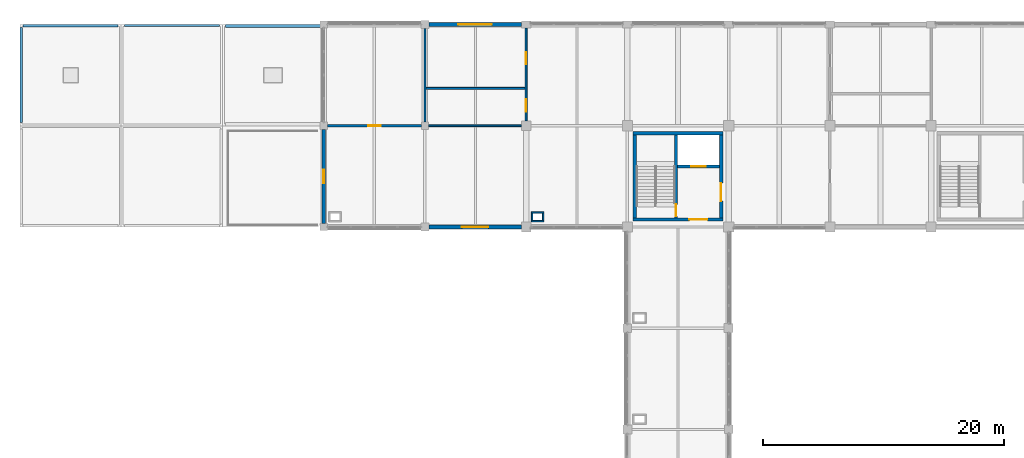
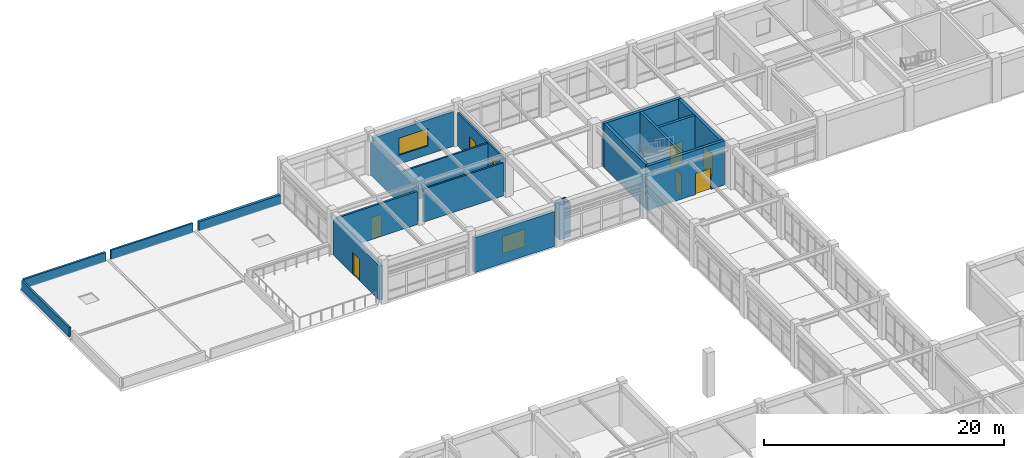
# One storey, part 66 of 78: 22 walls, 8 doors, 2 windows, 10 openings.
"""IFC4 building model written with IfcOpenShell, lengths in metres."""

from ifc_helpers import new_model, si_unit, direction, frame, frame_2d, origin, place, context, subcontext, project, spatial, rectangle, extrude, material, layer, layer_set, type_object, element, fill, save


model = new_model("IFC4")

# Units and contexts
model_context = context("Model", 3, precision=1e-05, world=origin(), true_north=direction((0.0, 1.0)))
body_context = subcontext(model_context, "Body", "Model", "MODEL_VIEW")
ifc_project = project(units=[si_unit("LENGTHUNIT", "METRE"), si_unit("AREAUNIT", "SQUARE_METRE"), si_unit("VOLUMEUNIT", "CUBIC_METRE"), si_unit("PLANEANGLEUNIT", "RADIAN"), si_unit("MASSUNIT", "GRAM", prefix="KILO")], contexts=[model_context])

# Site, building, storey
site_placement = place(None, origin())
site = spatial("IfcSite", under=ifc_project, at=site_placement, CompositionType="ELEMENT")
building_placement = place(site_placement, origin())
building = spatial("IfcBuilding", under=site, at=building_placement, Name="Porcellanite Civic Hall", CompositionType="ELEMENT")
storey_placement = place(building_placement, frame((0.0, 0.0, 10.260009765625)))
storey = spatial("IfcBuildingStorey", under=building, at=storey_placement, Name="L02", CompositionType="ELEMENT", Elevation=10.260009765625)

# Wall, opening, door
ifc_material_1 = material(Name="Concrete N40 (40 MPa)", Category="concrete")
ifc_layer_1 = layer(ifc_material_1, 0.239990234375)
ifc_layer_set_1 = layer_set([ifc_layer_1], Name="Concrete N40 (40 MPa)")
wall_type_1 = type_object("IfcWallType", Name="CW-SH240", PredefinedType="SHEAR", material=ifc_layer_set_1)
wall_1_placement = place(storey_placement, frame((54.43994140625, 101.56005859375, 0.0), z_axis=(0.0, 0.0, 1.0), x_axis=(0.0, 1.0, 0.0)))
wall_1 = element("IfcWall", 1, at=wall_1_placement, inside=storey, type_object=wall_type_1, Name="Core divider C3 L02", PredefinedType="SHEAR", context=body_context, shape_type="SweptSolid", body=[
    extrude(rectangle(XDim=6.8798828125, YDim=0.239990234375, at=frame_2d((3.43994140625, 0.0))), origin(), (0.0, 0.0, 1.0), 4.5),
])
opening_1_placement = place(wall_1_placement, frame((0.1201171875, 0.0, 0.0)))
opening_1 = element("IfcOpeningElement", 2, at=opening_1_placement, cuts=wall_1, Name="Opening FD-C3-L02-ST", PredefinedType="OPENING", context=body_context, shape_type="SweptSolid", body=[
    extrude(rectangle(XDim=1.0, YDim=2.14990234375, at=frame_2d((0.5, 1.074951171875))), frame((0.0, 0.1201171875, 0.0), z_axis=(0.0, -1.0, 0.0), x_axis=(1.0, 0.0, 0.0)), (0.0, 0.0, 1.0), 0.239990234375),
])
ifc_material_2 = material(Name="Fire-rated solid-core hardwood timber", Category="wood")
door_type_1 = type_object("IfcDoorType", Name="DR-FD100", OperationType="NOTDEFINED", PredefinedType="DOOR", material=ifc_material_2)
door_1_placement = place(opening_1_placement, origin())
door_1 = element("IfcDoor", 3, at=door_1_placement, inside=storey, type_object=door_type_1, Name="Fire stair door FD-C3-L02-ST", OperationType="SINGLE_SWING_RIGHT", OverallHeight=2.14990234375, OverallWidth=1.0, PredefinedType="DOOR", context=body_context, shape_type="SweptSolid", body=[
    extrude(rectangle(XDim=1.0, YDim=2.14990234375, at=frame_2d((0.5, 1.074951171875))), frame((0.0, 0.02490234375, 0.0), z_axis=(0.0, -1.0, 0.0), x_axis=(1.0, 0.0, 0.0)), (0.0, 0.0, 1.0), 0.050048828125),
])
fill(opening_1, door_1)

wall_2_placement = place(storey_placement, frame((54.56005859375, 105.820068359375, 0.0), z_axis=(0.0, 0.0, 1.0), x_axis=(1.0, 0.0, 0.0)))
wall_2 = element("IfcWall", 4, at=wall_2_placement, inside=storey, type_object=wall_type_1, Name="Lift shaft wall C3 L02", PredefinedType="SHEAR", context=body_context, shape_type="SweptSolid", body=[
    extrude(rectangle(XDim=3.47998046875, YDim=0.239990234375, at=frame_2d((1.739990234375, 0.0))), origin(), (0.0, 0.0, 1.0), 4.5),
])
opening_2_placement = place(wall_2_placement, frame((1.139892578125, 0.0, 0.0)))
opening_2 = element("IfcOpeningElement", 5, at=opening_2_placement, cuts=wall_2, Name="Opening LD-01", PredefinedType="OPENING", context=body_context, shape_type="SweptSolid", body=[
    extrude(rectangle(XDim=1.199951171875, YDim=2.199951171875, at=frame_2d((0.60009765625, 1.10009765625))), frame((0.0, 0.1201171875, 0.0), z_axis=(0.0, -1.0, 0.0), x_axis=(1.0, 0.0, 0.0)), (0.0, 0.0, 1.0), 0.239990234375),
])
ifc_material_3 = material(Name="Brushed stainless steel 316", Category="steel")
door_type_2 = type_object("IfcDoorType", Name="DR-LD120", OperationType="DOUBLE_DOOR_SLIDING", PredefinedType="DOOR", material=ifc_material_3)
door_2_placement = place(opening_2_placement, origin())
door_2 = element("IfcDoor", 6, at=door_2_placement, inside=storey, type_object=door_type_2, Name="Lift landing sliding door LD-01 L02", OperationType="DOUBLE_DOOR_SLIDING", OverallHeight=2.199951171875, OverallWidth=1.199951171875, PredefinedType="DOOR", context=body_context, shape_type="SweptSolid", body=[
    extrude(rectangle(XDim=1.199951171875, YDim=2.199951171875, at=frame_2d((0.60009765625, 1.10009765625))), frame((0.0, 0.02490234375, 0.0), z_axis=(0.0, -1.0, 0.0), x_axis=(1.0, 0.0, 0.0)), (0.0, 0.0, 1.0), 0.050048828125),
])
fill(opening_2, door_2)

ifc_material_4 = material(Name="Concrete N40 (40 MPa)", Category="concrete")
ifc_layer_2 = layer(ifc_material_4, 0.280029296875)
ifc_layer_set_2 = layer_set([ifc_layer_2], Name="Concrete N40 (40 MPa)")
wall_type_2 = type_object("IfcWallType", Name="CW-SH280", PredefinedType="SHEAR", material=ifc_layer_set_2)
wall_3_placement = place(storey_placement, frame((58.320068359375, 101.419921875, 0.0), z_axis=(0.0, 0.0, 1.0), x_axis=(-1.0, 0.0, 0.0)))
wall_3 = element("IfcWall", 7, at=wall_3_placement, inside=storey, type_object=wall_type_2, Name="Core wall C3 L02 S", PredefinedType="SHEAR", context=body_context, shape_type="SweptSolid", body=[
    extrude(rectangle(XDim=7.440185546875, YDim=0.280029296875, at=frame_2d((3.72021484375, 0.0))), origin(), (0.0, 0.0, 1.0), 4.5),
])
opening_3_placement = place(wall_3_placement, frame((1.280029296875, 0.0, 0.0)))
opening_3 = element("IfcOpeningElement", 8, at=opening_3_placement, cuts=wall_3, Name="Opening FD-C3-L02-LS", PredefinedType="OPENING", context=body_context, shape_type="SweptSolid", body=[
    extrude(rectangle(XDim=1.5, YDim=2.14990234375, at=frame_2d((0.75, 1.074951171875))), frame((0.0, 0.14013671875, 0.0), z_axis=(0.0, -1.0, 0.0), x_axis=(1.0, 0.0, 0.0)), (0.0, 0.0, 1.0), 0.280029296875),
])
ifc_material_5 = material(Name="Fire-rated steel and Georgian wired glass", Category="steel")
door_type_3 = type_object("IfcDoorType", Name="DR-FD150", OperationType="DOUBLE_DOOR_SINGLE_SWING", PredefinedType="DOOR", material=ifc_material_5)
door_3_placement = place(opening_3_placement, origin())
door_3 = element("IfcDoor", 9, at=door_3_placement, inside=storey, type_object=door_type_3, Name="Fire lobby south door FD-C3-L02-LS", OperationType="DOUBLE_DOOR_SINGLE_SWING", OverallHeight=2.14990234375, OverallWidth=1.5, PredefinedType="DOOR", context=body_context, shape_type="SweptSolid", body=[
    extrude(rectangle(XDim=1.5, YDim=2.14990234375, at=frame_2d((0.75, 1.074951171875))), frame((0.0, 0.02490234375, 0.0), z_axis=(0.0, -1.0, 0.0), x_axis=(1.0, 0.0, 0.0)), (0.0, 0.0, 1.0), 0.050048828125),
])
fill(opening_3, door_3)

# Walls
wall_4_placement = place(storey_placement, frame((51.02001953125, 101.56005859375, 0.0), z_axis=(0.0, 0.0, 1.0), x_axis=(0.0, 1.0, 0.0)))
element("IfcWall", 10, at=wall_4_placement, inside=storey, type_object=wall_type_2, Name="Core wall C3 L02 W", PredefinedType="SHEAR", context=body_context, shape_type="SweptSolid", body=[
    extrude(rectangle(XDim=6.8798828125, YDim=0.280029296875, at=frame_2d((3.43994140625, 0.0))), origin(), (0.0, 0.0, 1.0), 4.5),
])
wall_5_placement = place(storey_placement, frame((50.8798828125, 108.580078125, 0.0), z_axis=(0.0, 0.0, 1.0), x_axis=(1.0, 0.0, 0.0)))
element("IfcWall", 11, at=wall_5_placement, inside=storey, type_object=wall_type_2, Name="Core wall C3 L02 N", PredefinedType="SHEAR", context=body_context, shape_type="SweptSolid", body=[
    extrude(rectangle(XDim=7.440185546875, YDim=0.280029296875, at=frame_2d((3.72021484375, 0.0))), origin(), (0.0, 0.0, 1.0), 4.5),
])

# Wall, opening, door
wall_6_placement = place(storey_placement, frame((58.179931640625, 108.43994140625, 0.0), z_axis=(0.0, 0.0, 1.0), x_axis=(0.0, -1.0, 0.0)))
wall_6 = element("IfcWall", 12, at=wall_6_placement, inside=storey, type_object=wall_type_2, Name="Core wall C3 L02 E", PredefinedType="SHEAR", context=body_context, shape_type="SweptSolid", body=[
    extrude(rectangle(XDim=6.8798828125, YDim=0.280029296875, at=frame_2d((3.43994140625, 0.0))), origin(), (0.0, 0.0, 1.0), 4.5),
])
opening_4_placement = place(wall_6_placement, frame((3.989990234375, 0.0, 0.0)))
opening_4 = element("IfcOpeningElement", 13, at=opening_4_placement, cuts=wall_6, Name="Opening FD-C3-L02-LB", PredefinedType="OPENING", context=body_context, shape_type="SweptSolid", body=[
    extrude(rectangle(XDim=1.5, YDim=2.14990234375, at=frame_2d((0.75, 1.074951171875))), frame((0.0, 0.14013671875, 0.0), z_axis=(0.0, -1.0, 0.0), x_axis=(1.0, 0.0, 0.0)), (0.0, 0.0, 1.0), 0.280029296875),
])
door_4_placement = place(opening_4_placement, origin())
door_4 = element("IfcDoor", 14, at=door_4_placement, inside=storey, type_object=door_type_3, Name="Fire lobby double door FD-C3-L02-LB", OperationType="DOUBLE_DOOR_SINGLE_SWING", OverallHeight=2.14990234375, OverallWidth=1.5, PredefinedType="DOOR", context=body_context, shape_type="SweptSolid", body=[
    extrude(rectangle(XDim=1.5, YDim=2.14990234375, at=frame_2d((0.75, 1.074951171875))), frame((0.0, 0.02490234375, 0.0), z_axis=(0.0, -1.0, 0.0), x_axis=(1.0, 0.0, 0.0)), (0.0, 0.0, 1.0), 0.050048828125),
])
fill(opening_4, door_4)

# Wall, opening, window
ifc_material_6 = material(Name="Precast concrete N40 (40 MPa)", Category="concrete")
ifc_layer_3 = layer(ifc_material_6, 0.300048828125)
ifc_layer_set_3 = layer_set([ifc_layer_3], Name="Precast concrete N40 (40 MPa)")
wall_type_3 = type_object("IfcWallType", Name="EW-ADM300", PredefinedType="SOLIDWALL", material=ifc_layer_set_3)
wall_7_placement = place(storey_placement, frame((41.59912109375, 100.800048828125, 0.0), z_axis=(0.0, 0.0, 1.0), x_axis=(-1.0, 0.0, 0.0)))
wall_7 = element("IfcWall", 15, at=wall_7_placement, inside=storey, type_object=wall_type_3, Name="Exterior wall L02 S 5-13", PredefinedType="SOLIDWALL", context=body_context, shape_type="SweptSolid", body=[
    extrude(rectangle(XDim=7.673095703125, YDim=0.300048828125, at=frame_2d((3.83642578125, 0.0))), origin(), (0.0, 0.0, 1.0), 3.5400390625),
])
opening_5_placement = place(wall_7_placement, frame((2.736083984375, 0.0, 0.89990234375)))
opening_5 = element("IfcOpeningElement", 16, at=opening_5_placement, cuts=wall_7, Name="Opening W13", PredefinedType="OPENING", context=body_context, shape_type="SweptSolid", body=[
    extrude(rectangle(XDim=2.199951171875, YDim=1.75, at=frame_2d((1.10009765625, 0.875))), frame((0.0, 0.14990234375, 0.0), z_axis=(0.0, -1.0, 0.0), x_axis=(1.0, 0.0, 0.0)), (0.0, 0.0, 1.0), 0.300048828125),
])
ifc_material_7 = material(Name="Cyclone laminated low-E glazing in anodised aluminium frame", Category="aluminium")
window_type_1 = type_object("IfcWindowType", Name="WN-13", PartitioningType="DOUBLE_PANEL_VERTICAL", PredefinedType="WINDOW", material=ifc_material_7)
window_1_placement = place(opening_5_placement, origin())
window_1 = element("IfcWindow", 17, at=window_1_placement, inside=storey, type_object=window_type_1, Name="Window W13 L02 S 5-13", OverallHeight=1.75, OverallWidth=2.199951171875, PartitioningType="SINGLE_PANEL", PredefinedType="WINDOW", context=body_context, shape_type="SweptSolid", body=[
    extrude(rectangle(XDim=2.199951171875, YDim=1.75, at=frame_2d((1.10009765625, 0.875))), frame((0.0, 0.030029296875, 0.0), z_axis=(0.0, -1.0, 0.0), x_axis=(1.0, 0.0, 0.0)), (0.0, 0.0, 1.0), 0.06005859375),
])
fill(opening_5, window_1)

wall_8_placement = place(storey_placement, frame((33.926025390625, 117.60009765625, 0.0), z_axis=(0.0, 0.0, 1.0), x_axis=(1.0, 0.0, 0.0)))
wall_8 = element("IfcWall", 18, at=wall_8_placement, inside=storey, type_object=wall_type_3, Name="Exterior wall L02 N 5-14", PredefinedType="SOLIDWALL", context=body_context, shape_type="SweptSolid", body=[
    extrude(rectangle(XDim=7.673095703125, YDim=0.300048828125, at=frame_2d((3.83642578125, 0.0))), origin(), (0.0, 0.0, 1.0), 3.5400390625),
])
opening_6_placement = place(wall_8_placement, frame((2.43701171875, 0.0, 0.89990234375)))
opening_6 = element("IfcOpeningElement", 19, at=opening_6_placement, cuts=wall_8, Name="Opening W14", PredefinedType="OPENING", context=body_context, shape_type="SweptSolid", body=[
    extrude(rectangle(XDim=2.800048828125, YDim=1.75, at=frame_2d((1.39990234375, 0.875))), frame((0.0, 0.14990234375, 0.0), z_axis=(0.0, -1.0, 0.0), x_axis=(1.0, 0.0, 0.0)), (0.0, 0.0, 1.0), 0.300048828125),
])
ifc_material_8 = material(Name="Cyclone laminated low-E glazing in anodised aluminium frame", Category="aluminium")
window_type_2 = type_object("IfcWindowType", Name="WN-14", PartitioningType="TRIPLE_PANEL_VERTICAL", PredefinedType="WINDOW", material=ifc_material_8)
window_2_placement = place(opening_6_placement, origin())
window_2 = element("IfcWindow", 20, at=window_2_placement, inside=storey, type_object=window_type_2, Name="Window W14 L02 N 5-14", OverallHeight=1.75, OverallWidth=2.800048828125, PartitioningType="SINGLE_PANEL", PredefinedType="WINDOW", context=body_context, shape_type="SweptSolid", body=[
    extrude(rectangle(XDim=2.800048828125, YDim=1.75, at=frame_2d((1.39990234375, 0.875))), frame((0.0, 0.030029296875, 0.0), z_axis=(0.0, -1.0, 0.0), x_axis=(1.0, 0.0, 0.0)), (0.0, 0.0, 1.0), 0.06005859375),
])
fill(opening_6, window_2)

# Wall, opening, door
ifc_material_9 = material(Name="Precast concrete N40 (40 MPa)", Category="concrete")
ifc_layer_4 = layer(ifc_material_9, 0.320068359375)
ifc_layer_set_4 = layer_set([ifc_layer_4], Name="Precast concrete N40 (40 MPa)")
wall_type_4 = type_object("IfcWallType", Name="EW-COM320", PredefinedType="SOLIDWALL", material=ifc_layer_set_4)
wall_9_placement = place(storey_placement, frame((25.199951171875, 101.10107421875, 0.0), z_axis=(0.0, 0.0, 1.0), x_axis=(0.0, 1.0, 0.0)))
wall_9 = element("IfcWall", 21, at=wall_9_placement, inside=storey, type_object=wall_type_4, Name="Exterior wall L02 W 4-13", PredefinedType="SOLIDWALL", context=body_context, shape_type="SweptSolid", body=[
    extrude(rectangle(XDim=7.77294921875, YDim=0.320068359375, at=frame_2d((3.886474609375, 0.0))), origin(), (0.0, 0.0, 1.0), 3.5400390625),
])
opening_7_placement = place(wall_9_placement, frame((3.325927734375, 0.0, 0.0)))
opening_7 = element("IfcOpeningElement", 22, at=opening_7_placement, cuts=wall_9, Name="Opening TD-05", PredefinedType="OPENING", context=body_context, shape_type="SweptSolid", body=[
    extrude(rectangle(XDim=1.1201171875, YDim=2.199951171875, at=frame_2d((0.56005859375, 1.10009765625))), frame((0.0, 0.16015625, 0.0), z_axis=(0.0, -1.0, 0.0), x_axis=(1.0, 0.0, 0.0)), (0.0, 0.0, 1.0), 0.320068359375),
])
ifc_material_10 = material(Name="Anodised aluminium and laminated safety glass", Category="aluminium")
door_type_4 = type_object("IfcDoorType", Name="DR-TER112", OperationType="NOTDEFINED", PredefinedType="DOOR", material=ifc_material_10)
door_5_placement = place(opening_7_placement, origin())
door_5 = element("IfcDoor", 23, at=door_5_placement, inside=storey, type_object=door_type_4, Name="Civic terrace door TD-05", OperationType="SINGLE_SWING_RIGHT", OverallHeight=2.199951171875, OverallWidth=1.1201171875, PredefinedType="DOOR", context=body_context, shape_type="SweptSolid", body=[
    extrude(rectangle(XDim=1.1201171875, YDim=2.199951171875, at=frame_2d((0.56005859375, 1.10009765625))), frame((0.0, 0.02490234375, 0.0), z_axis=(0.0, -1.0, 0.0), x_axis=(1.0, 0.0, 0.0)), (0.0, 0.0, 1.0), 0.050048828125),
])
fill(opening_7, door_5)

# Walls
ifc_material_11 = material(Name="Fire-rated shaftwall plasterboard on steel studs", Category="steel")
ifc_layer_5 = layer(ifc_material_11, 0.117919921875)
ifc_layer_set_5 = layer_set([ifc_layer_5], Name="Fire-rated shaftwall plasterboard on steel studs")
wall_type_5 = type_object("IfcWallType", Name="IW-FR118", PredefinedType="PARTITIONING", material=ifc_layer_set_5)
for number, where, z_axis, x_axis, name in (
    (24, (42.431884765625, 101.291015625, 0.0), (0.0, 0.0, 1.0), (1.0, 0.0, 0.0), "Fire riser shaftwall S L02 5-12"),
    (25, (42.431884765625, 102.009033203125, 0.0), (0.0, 0.0, 1.0), (1.0, 0.0, 0.0), "Fire riser shaftwall N L02 5-12"),
):
    element("IfcWall", number, at=place(storey_placement, frame(where, z_axis=z_axis, x_axis=x_axis)), inside=storey, type_object=wall_type_5, Name=name, PredefinedType="PARTITIONING", context=body_context, shape_type="SweptSolid", body=[
        extrude(rectangle(XDim=1.0361328125, YDim=0.117919921875, at=frame_2d((0.51806640625, 0.0))), origin(), (0.0, 0.0, 1.0), 3.530029296875),
    ])
for number, where, z_axis, x_axis, name in (
    (26, (42.490966796875, 101.35009765625, 0.0), (0.0, 0.0, 1.0), (0.0, 1.0, 0.0), "Fire riser shaftwall W L02 5-12"),
    (27, (43.408935546875, 101.35009765625, 0.0), (0.0, 0.0, 1.0), (0.0, 1.0, 0.0), "Fire riser shaftwall E L02 5-12"),
):
    element("IfcWall", number, at=place(storey_placement, frame(where, z_axis=z_axis, x_axis=x_axis)), inside=storey, type_object=wall_type_5, Name=name, PredefinedType="PARTITIONING", context=body_context, shape_type="SweptSolid", body=[
        extrude(rectangle(XDim=0.599853515625, YDim=0.117919921875, at=frame_2d((0.2998046875, 0.0))), origin(), (0.0, 0.0, 1.0), 3.530029296875),
    ])
ifc_material_12 = material(Name="Fire-rated plasterboard on light-gauge steel studs", Category="steel")
ifc_layer_6 = layer(ifc_material_12, 0.14794921875)
ifc_layer_set_6 = layer_set([ifc_layer_6], Name="Fire-rated plasterboard on light-gauge steel studs")
wall_type_6 = type_object("IfcWallType", Name="IW-FR148", PredefinedType="PARTITIONING", material=ifc_layer_set_6)
wall_10_placement = place(storey_placement, frame((33.60009765625, 109.501953125, 0.0), z_axis=(0.0, 0.0, 1.0), x_axis=(0.0, 1.0, 0.0)))
element("IfcWall", 28, at=wall_10_placement, inside=storey, type_object=wall_type_6, Name="Fire compartment wall L02 V 4-14", PredefinedType="PARTITIONING", context=body_context, shape_type="SweptSolid", body=[
    extrude(rectangle(XDim=7.77099609375, YDim=0.14794921875, at=frame_2d((3.885498046875, 0.0))), origin(), (0.0, 0.0, 1.0), 3.369873046875),
])
ifc_material_13 = material(Name="Fire-rated plasterboard on light-gauge steel studs", Category="steel")
ifc_layer_7 = layer(ifc_material_13, 0.159912109375)
ifc_layer_set_7 = layer_set([ifc_layer_7], Name="Fire-rated plasterboard on light-gauge steel studs")
wall_type_7 = type_object("IfcWallType", Name="IW-FR160", PredefinedType="PARTITIONING", material=ifc_layer_set_7)
wall_11_placement = place(storey_placement, frame((33.902099609375, 109.199951171875, 0.0), z_axis=(0.0, 0.0, 1.0), x_axis=(1.0, 0.0, 0.0)))
element("IfcWall", 29, at=wall_11_placement, inside=storey, type_object=wall_type_7, Name="Fire compartment wall L02 H 5-13", PredefinedType="PARTITIONING", context=body_context, shape_type="SweptSolid", body=[
    extrude(rectangle(XDim=7.69580078125, YDim=0.159912109375, at=frame_2d((3.847900390625, 0.0))), origin(), (0.0, 0.0, 1.0), 3.369873046875),
])

# Wall, openings, doors
wall_12_placement = place(storey_placement, frame((42.0, 109.60205078125, 0.0), z_axis=(0.0, 0.0, 1.0), x_axis=(0.0, 1.0, 0.0)))
wall_12 = element("IfcWall", 30, at=wall_12_placement, inside=storey, type_object=wall_type_7, Name="Fire compartment wall L02 V 5-14", PredefinedType="PARTITIONING", context=body_context, shape_type="SweptSolid", body=[
    extrude(rectangle(XDim=7.720947265625, YDim=0.159912109375, at=frame_2d((3.8603515625, 0.0))), origin(), (0.0, 0.0, 1.0), 3.369873046875),
])
opening_8_placement = place(wall_12_placement, frame((0.762939453125, 0.0, 0.0)))
opening_8 = element("IfcOpeningElement", 31, at=opening_8_placement, cuts=wall_12, Name="Opening D-L02-310", PredefinedType="OPENING", context=body_context, shape_type="SweptSolid", body=[
    extrude(rectangle(XDim=1.050048828125, YDim=2.14990234375, at=frame_2d((0.52490234375, 1.074951171875))), frame((0.0, 0.080078125, 0.0), z_axis=(0.0, -1.0, 0.0), x_axis=(1.0, 0.0, 0.0)), (0.0, 0.0, 1.0), 0.159912109375),
])
opening_9_placement = place(wall_12_placement, frame((4.7080078125, 0.0, 0.0)))
opening_9 = element("IfcOpeningElement", 32, at=opening_9_placement, cuts=wall_12, Name="Opening D-L02-311", PredefinedType="OPENING", context=body_context, shape_type="SweptSolid", body=[
    extrude(rectangle(XDim=1.0, YDim=2.14990234375, at=frame_2d((0.5, 1.074951171875))), frame((0.0, 0.080078125, 0.0), z_axis=(0.0, -1.0, 0.0), x_axis=(1.0, 0.0, 0.0)), (0.0, 0.0, 1.0), 0.159912109375),
])
door_6_placement = place(opening_9_placement, origin())
door_6 = element("IfcDoor", 33, at=door_6_placement, inside=storey, type_object=door_type_1, Name="Interior door D-L02-311", OperationType="SINGLE_SWING_LEFT", OverallHeight=2.14990234375, OverallWidth=1.0, PredefinedType="DOOR", context=body_context, shape_type="SweptSolid", body=[
    extrude(rectangle(XDim=1.0, YDim=2.14990234375, at=frame_2d((0.5, 1.074951171875))), frame((0.0, 0.02490234375, 0.0), z_axis=(0.0, -1.0, 0.0), x_axis=(1.0, 0.0, 0.0)), (0.0, 0.0, 1.0), 0.050048828125),
])
fill(opening_9, door_6)
ifc_material_14 = material(Name="Fire-rated solid-core hardwood timber", Category="wood")
door_type_5 = type_object("IfcDoorType", Name="DR-FD105", OperationType="NOTDEFINED", PredefinedType="DOOR", material=ifc_material_14)
door_7_placement = place(opening_8_placement, origin())
door_7 = element("IfcDoor", 34, at=door_7_placement, inside=storey, type_object=door_type_5, Name="Interior door D-L02-310", OperationType="SINGLE_SWING_RIGHT", OverallHeight=2.14990234375, OverallWidth=1.050048828125, PredefinedType="DOOR", context=body_context, shape_type="SweptSolid", body=[
    extrude(rectangle(XDim=1.050048828125, YDim=2.14990234375, at=frame_2d((0.52490234375, 1.074951171875))), frame((0.0, 0.02490234375, 0.0), z_axis=(0.0, -1.0, 0.0), x_axis=(1.0, 0.0, 0.0)), (0.0, 0.0, 1.0), 0.050048828125),
])
fill(opening_8, door_7)

# Wall
wall_13_placement = place(storey_placement, frame((33.676025390625, 112.300048828125, 0.0), z_axis=(0.0, 0.0, 1.0), x_axis=(1.0, 0.0, 0.0)))
element("IfcWall", 35, at=wall_13_placement, inside=storey, type_object=wall_type_7, Name="Fire compartment wall L02 sub 5-14", PredefinedType="PARTITIONING", context=body_context, shape_type="SweptSolid", body=[
    extrude(rectangle(XDim=8.241943359375, YDim=0.159912109375, at=frame_2d((4.12109375, 0.0))), origin(), (0.0, 0.0, 1.0), 3.369873046875),
])

# Wall, opening, door
ifc_material_15 = material(Name="Insulated acoustic plasterboard on light-gauge steel studs", Category="steel")
ifc_layer_8 = layer(ifc_material_15, 0.195068359375)
ifc_layer_set_8 = layer_set([ifc_layer_8], Name="Insulated acoustic plasterboard on light-gauge steel studs")
wall_type_8 = type_object("IfcWallType", Name="IW-PT195", PredefinedType="PARTITIONING", material=ifc_layer_set_8)
wall_14_placement = place(storey_placement, frame((25.527099609375, 109.199951171875, 0.0), z_axis=(0.0, 0.0, 1.0), x_axis=(1.0, 0.0, 0.0)))
wall_14 = element("IfcWall", 36, at=wall_14_placement, inside=storey, type_object=wall_type_8, Name="Partition L02 H 4-13", PredefinedType="PARTITIONING", context=body_context, shape_type="SweptSolid", body=[
    extrude(rectangle(XDim=7.77099609375, YDim=0.195068359375, at=frame_2d((3.885498046875, 0.0))), origin(), (0.0, 0.0, 1.0), 3.369873046875),
])
opening_10_placement = place(wall_14_placement, frame((3.375, 0.0, 0.0)))
opening_10 = element("IfcOpeningElement", 37, at=opening_10_placement, cuts=wall_14, Name="Opening D-L02-328", PredefinedType="OPENING", context=body_context, shape_type="SweptSolid", body=[
    extrude(rectangle(XDim=1.02001953125, YDim=2.199951171875, at=frame_2d((0.510009765625, 1.10009765625))), frame((0.0, 0.09765625, 0.0), z_axis=(0.0, -1.0, 0.0), x_axis=(1.0, 0.0, 0.0)), (0.0, 0.0, 1.0), 0.195068359375),
])
ifc_material_16 = material(Name="Solid-core spotted-gum timber", Category="wood")
door_type_6 = type_object("IfcDoorType", Name="DR-RM102", OperationType="NOTDEFINED", PredefinedType="DOOR", material=ifc_material_16)
door_8_placement = place(opening_10_placement, origin())
door_8 = element("IfcDoor", 38, at=door_8_placement, inside=storey, type_object=door_type_6, Name="Interior door D-L02-328", OperationType="SINGLE_SWING_RIGHT", OverallHeight=2.199951171875, OverallWidth=1.02001953125, PredefinedType="DOOR", context=body_context, shape_type="SweptSolid", body=[
    extrude(rectangle(XDim=1.02001953125, YDim=2.199951171875, at=frame_2d((0.510009765625, 1.10009765625))), frame((0.0, 0.02490234375, 0.0), z_axis=(0.0, -1.0, 0.0), x_axis=(1.0, 0.0, 0.0)), (0.0, 0.0, 1.0), 0.050048828125),
])
fill(opening_10, door_8)

# Walls
ifc_material_17 = material(Name="Precast concrete N40 (40 MPa)", Category="concrete")
ifc_layer_9 = layer(ifc_material_17, 0.25)
ifc_layer_set_9 = layer_set([ifc_layer_9], Name="Precast concrete N40 (40 MPa)")
wall_type_9 = type_object("IfcWallType", Name="WP-PAR1", PredefinedType="PARAPET", material=ifc_layer_set_9)
wall_15_placement = place(storey_placement, frame((17.06005859375, 117.47509765625, 0.0), z_axis=(0.0, 0.0, 1.0), x_axis=(1.0, 0.0, 0.0)))
element("IfcWall", 39, at=wall_15_placement, inside=storey, type_object=wall_type_9, Name="Roof parapet L02 N 3-14", PredefinedType="PARAPET", context=body_context, shape_type="SweptSolid", body=[
    extrude(rectangle(XDim=7.8798828125, YDim=0.25, at=frame_2d((3.93994140625, 0.0))), origin(), (0.0, 0.0, 1.0), 0.949951171875),
])
ifc_material_18 = material(Name="Precast concrete N40 (40 MPa)", Category="concrete")
ifc_layer_10 = layer(ifc_material_18, 0.18994140625)
ifc_layer_set_10 = layer_set([ifc_layer_10], Name="Precast concrete N40 (40 MPa)")
wall_type_10 = type_object("IfcWallType", Name="WP-PAR4", PredefinedType="PARAPET", material=ifc_layer_set_10)
wall_16_placement = place(storey_placement, frame((0.094970703125, 109.4599609375, 0.0), z_axis=(0.0, 0.0, 1.0), x_axis=(0.0, 1.0, 0.0)))
element("IfcWall", 40, at=wall_16_placement, inside=storey, type_object=wall_type_10, Name="Roof parapet L02 W 1-14", PredefinedType="PARAPET", context=body_context, shape_type="SweptSolid", body=[
    extrude(rectangle(XDim=7.880126953125, YDim=0.18994140625, at=frame_2d((3.93994140625, 0.0))), origin(), (0.0, 0.0, 1.0), 0.949951171875),
])
wall_17_placement = place(storey_placement, frame((0.260009765625, 117.5048828125, 0.0), z_axis=(0.0, 0.0, 1.0), x_axis=(1.0, 0.0, 0.0)))
element("IfcWall", 41, at=wall_17_placement, inside=storey, type_object=wall_type_10, Name="Roof parapet L02 N 1-14", PredefinedType="PARAPET", context=body_context, shape_type="SweptSolid", body=[
    extrude(rectangle(XDim=7.8798828125, YDim=0.18994140625, at=frame_2d((3.93994140625, 0.0))), origin(), (0.0, 0.0, 1.0), 0.949951171875),
])
ifc_material_19 = material(Name="Precast concrete N40 (40 MPa)", Category="concrete")
ifc_layer_11 = layer(ifc_material_19, 0.169921875)
ifc_layer_set_11 = layer_set([ifc_layer_11], Name="Precast concrete N40 (40 MPa)")
wall_type_11 = type_object("IfcWallType", Name="WP-PAR5", PredefinedType="PARAPET", material=ifc_layer_set_11)
wall_18_placement = place(storey_placement, frame((8.659912109375, 117.514892578125, 0.0), z_axis=(0.0, 0.0, 1.0), x_axis=(1.0, 0.0, 0.0)))
element("IfcWall", 42, at=wall_18_placement, inside=storey, type_object=wall_type_11, Name="Roof parapet L02 N 2-14", PredefinedType="PARAPET", context=body_context, shape_type="SweptSolid", body=[
    extrude(rectangle(XDim=7.880126953125, YDim=0.169921875, at=frame_2d((3.93994140625, 0.0))), origin(), (0.0, 0.0, 1.0), 0.949951171875),
])

save(model, "model.ifc")
